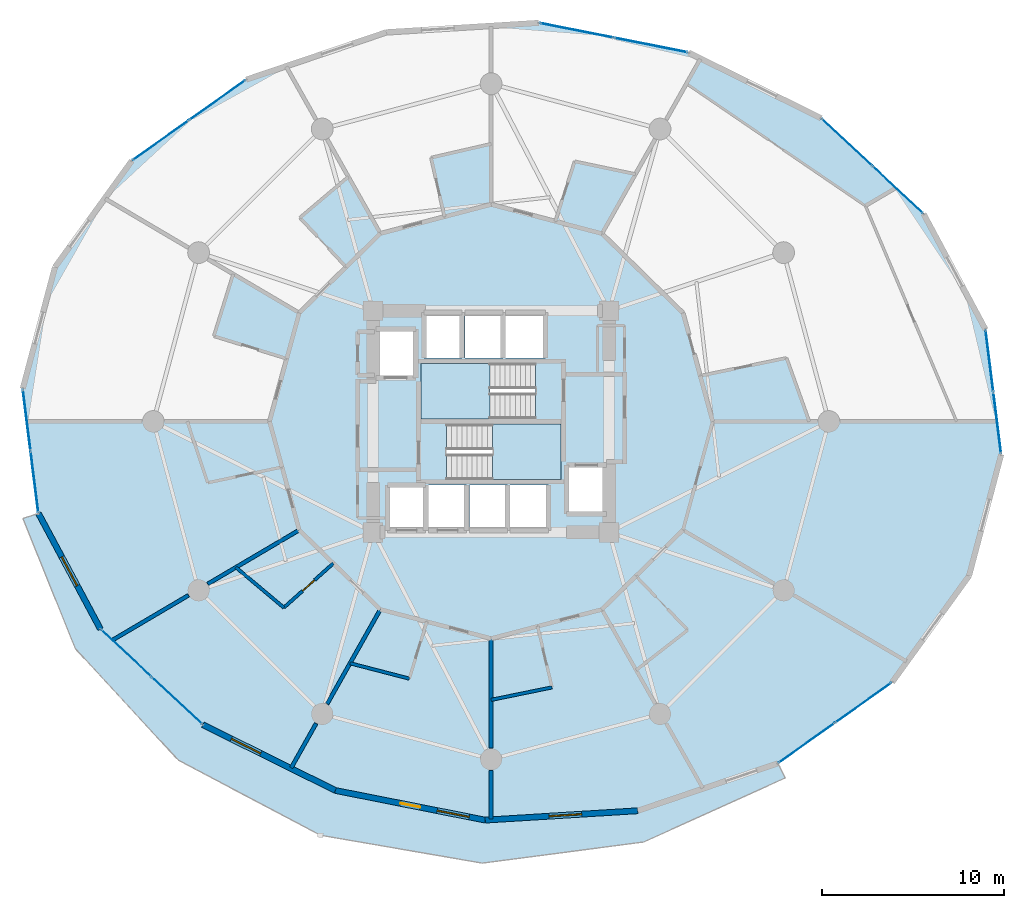
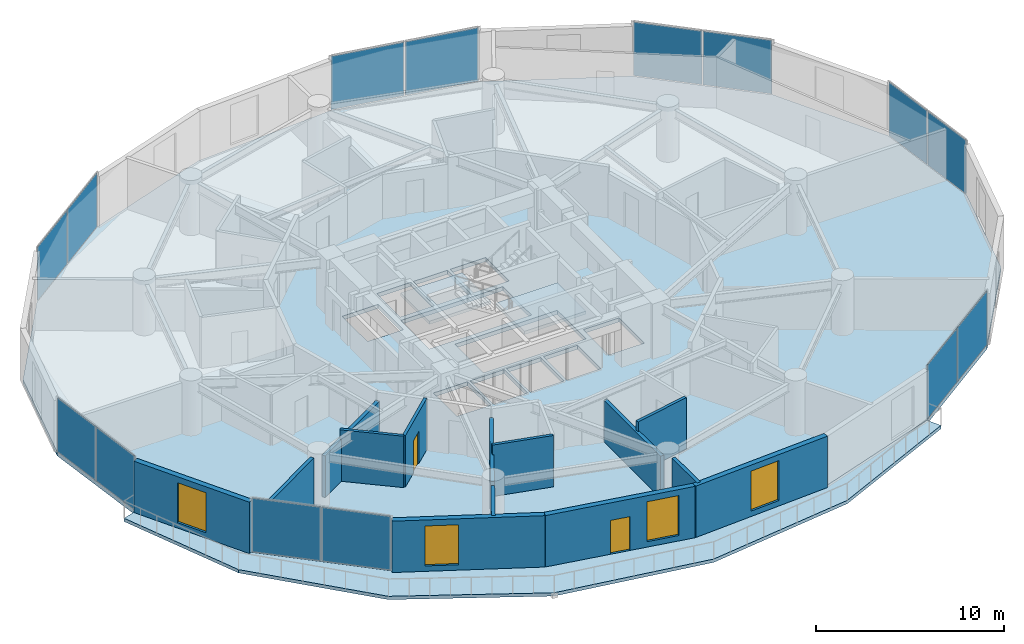
# One storey, part 19 of 26: 14 plates, 14 walls, 4 slabs, 4 windows, 2 doors, 6 openings, 9 elements without a shape of their own.
"""IFC4 building model written with IfcOpenShell, lengths in metres."""

from ifc_helpers import new_model, si_unit, direction, frame, frame_2d, origin, origin_2d, place, context, subcontext, project, spatial, polyline, rectangle, outline, extrude, source, transform, mapped, material, layer, layer_set, type_object, element, fill, aggregate, save


model = new_model("IFC4")

# Units and contexts
model_context = context("Model", 3, precision=1e-05, world=origin(), true_north=direction((0.0, 1.0)))
body_context = subcontext(model_context, "Body", "Model", "MODEL_VIEW")
ifc_project = project(units=[si_unit("LENGTHUNIT", "METRE"), si_unit("AREAUNIT", "SQUARE_METRE"), si_unit("VOLUMEUNIT", "CUBIC_METRE"), si_unit("PLANEANGLEUNIT", "RADIAN"), si_unit("MASSUNIT", "GRAM", prefix="KILO")], contexts=[model_context])

# Site, building, storey
site_placement = place(None, origin())
site = spatial("IfcSite", under=ifc_project, at=site_placement, CompositionType="ELEMENT")
building_placement = place(site_placement, origin())
building = spatial("IfcBuilding", under=site, at=building_placement, Name="Solvirekh Grand Hotel", CompositionType="ELEMENT")
storey_placement = place(building_placement, frame((0.0, 0.0, 35.60009765625)))
storey = spatial("IfcBuildingStorey", under=building, at=storey_placement, Name="L07", CompositionType="ELEMENT", Elevation=35.60009765625)

# Slab
ifc_material_1 = material(Name="Concrete C50/60", Category="concrete")
ifc_layer_1 = layer(ifc_material_1, 0.215087890625)
ifc_layer_set_1 = layer_set([ifc_layer_1], Name="Concrete C50/60")
slab_type_1 = type_object("IfcSlabType", Name="ExtCrescentBalc_215", PredefinedType="FLOOR", material=ifc_layer_set_1)
slab_1_placement = place(storey_placement, frame((0.0, 0.0, -0.215087890625)))
element("IfcSlab", 1, at=slab_1_placement, inside=storey, type_object=slab_type_1, Name="L07 sweeping crescent balcony slab", PredefinedType="FLOOR", context=body_context, shape_type="SweptSolid", body=[
    extrude(outline(polyline([(-25.782958984375, -5.340087890625), (-22.89208984375, -12.513916015625), (-17.218994140625, -18.65087890625), (-9.407958984375, -22.781005859375), (-0.48193359375, -24.318115234375), (8.406982421875, -23.153076171875), (16.197998046875, -19.625), (15.79296875, -18.821044921875), (8.072998046875, -21.43505859375), (-0.322998046875, -21.950927734375), (-8.575927734375, -20.318115234375), (-15.876953125, -16.696044921875), (-21.510009765625, -11.43896484375), (-24.926025390625, -5.06298828125), (-25.782958984375, -5.340087890625)])), origin(), (0.0, 0.0, 1.0), 0.215087890625),
])

# Stair, slab
ifc_material_2 = material(Name="Concrete C40/50", Category="concrete")
stair_type = type_object("IfcStairType", Name="Stair_Core_1450", PredefinedType="HALF_TURN_STAIR", material=ifc_material_2)
stair_1_placement = place(storey_placement, origin())
stair_1 = element("IfcStair", 2, at=stair_1_placement, inside=storey, type_object=stair_type, Name="L07 Enclosed exit stair ST-1", PredefinedType="HALF_TURN_STAIR")
ifc_layer_2 = layer(ifc_material_2, 0.199951171875)
ifc_layer_set_2 = layer_set([ifc_layer_2], Name="Concrete C40/50")
slab_type_2 = type_object("IfcSlabType", Name="Landing_Stair_200", PredefinedType="LANDING", material=ifc_layer_set_2)
slab_2_placement = place(storey_placement, frame((0.0, 0.0, 1.599853515625)))
slab_2 = element("IfcSlab", 3, at=slab_2_placement, type_object=slab_type_2, Name="ST-1 landing 1", PredefinedType="LANDING", context=body_context, shape_type="SweptSolid", body=[
    extrude(outline(polyline([(0.070068359375, -3.199951171875), (3.85009765625, -3.199951171875), (3.85009765625, -0.14990234375), (0.070068359375, -0.14990234375), (0.070068359375, -3.199951171875)])), origin(), (0.0, 0.0, 1.0), 0.199951171875),
])
aggregate(stair_1, [slab_2])

stair_2_placement = place(storey_placement, origin())
stair_2 = element("IfcStair", 4, at=stair_2_placement, inside=storey, type_object=stair_type, Name="L07 Enclosed exit stair ST-2", PredefinedType="HALF_TURN_STAIR")
slab_3_placement = place(storey_placement, frame((0.0, 0.0, 1.599853515625)))
slab_3 = element("IfcSlab", 5, at=slab_3_placement, type_object=slab_type_2, Name="ST-2 landing 1", PredefinedType="LANDING", context=body_context, shape_type="SweptSolid", body=[
    extrude(outline(polyline([(-0.070068359375, 3.199951171875), (-3.85009765625, 3.199951171875), (-3.85009765625, 0.14990234375), (-0.070068359375, 0.14990234375), (-0.070068359375, 3.199951171875)])), origin(), (0.0, 0.0, 1.0), 0.199951171875),
])
aggregate(stair_2, [slab_3])

# Slab
ifc_layer_3 = layer(ifc_material_1, 0.260009765625)
ifc_layer_set_3 = layer_set([ifc_layer_3], Name="Concrete C50/60")
slab_type_3 = type_object("IfcSlabType", Name="Slab_GuestZ1_260", PredefinedType="FLOOR", material=ifc_layer_set_3)
slab_4_placement = place(storey_placement, frame((0.0, 0.0, -0.260009765625)))
element("IfcSlab", 6, at=slab_4_placement, inside=storey, type_object=slab_type_3, Name="L07 structural floor slab", PredefinedType="FLOOR", context=body_context, shape_type="SweptSolid", body=[
    extrude(outline(polyline([(28.089111328125, -1.80810546875), (27.22607421875, 5.06298828125), (23.81005859375, 11.43896484375), (18.177001953125, 16.696044921875), (10.8759765625, 20.318115234375), (2.623046875, 21.950927734375), (-5.77294921875, 21.43505859375), (-13.492919921875, 18.821044921875), (-19.778076171875, 14.364990234375), (-24.01611328125, 8.5029296875), (-25.7890625, 1.80810546875), (-24.926025390625, -5.06298828125), (-21.510009765625, -11.43896484375), (-15.876953125, -16.696044921875), (-8.575927734375, -20.318115234375), (-0.322998046875, -21.950927734375), (8.072998046875, -21.43505859375), (15.79296875, -18.821044921875), (22.077880859375, -14.364990234375), (26.31591796875, -8.5029296875), (28.089111328125, -1.80810546875)]), holes=[polyline([(-2.444091796875, -0.14990234375), (3.85009765625, -0.14990234375), (3.85009765625, -3.199951171875), (-2.444091796875, -3.199951171875), (-2.444091796875, -0.14990234375)]), polyline([(2.444091796875, 0.14990234375), (-3.85009765625, 0.14990234375), (-3.85009765625, 3.199951171875), (2.444091796875, 3.199951171875), (2.444091796875, 0.14990234375)]), polyline([(-5.699951171875, -3.5), (-3.60009765625, -3.5), (-3.60009765625, -6.0), (-5.699951171875, -6.0), (-5.699951171875, -3.5)]), polyline([(-3.449951171875, -3.5), (-1.35009765625, -3.5), (-1.35009765625, -6.0), (-3.449951171875, -6.0), (-3.449951171875, -3.5)]), polyline([(-1.199951171875, -3.5), (0.89990234375, -3.5), (0.89990234375, -6.0), (-1.199951171875, -6.0), (-1.199951171875, -3.5)]), polyline([(1.050048828125, -3.5), (3.14990234375, -3.5), (3.14990234375, -6.0), (1.050048828125, -6.0), (1.050048828125, -3.5)]), polyline([(-3.699951171875, 6.0), (-1.60009765625, 6.0), (-1.60009765625, 3.5), (-3.699951171875, 3.5), (-3.699951171875, 6.0)]), polyline([(-1.449951171875, 6.0), (0.64990234375, 6.0), (0.64990234375, 3.5), (-1.449951171875, 3.5), (-1.449951171875, 6.0)]), polyline([(0.800048828125, 6.0), (3.0, 6.0), (3.0, 3.5), (0.800048828125, 3.5), (0.800048828125, 6.0)]), polyline([(-6.35009765625, 5.10009765625), (-4.14990234375, 5.10009765625), (-4.14990234375, 2.39990234375), (-6.35009765625, 2.39990234375), (-6.35009765625, 5.10009765625)]), polyline([(4.14990234375, -2.39990234375), (6.35009765625, -2.39990234375), (6.35009765625, -5.10009765625), (4.14990234375, -5.10009765625), (4.14990234375, -2.39990234375)])]), origin(), (0.0, 0.0, 1.0), 0.260009765625),
])

# Curtain wall, plates
ifc_material_3 = material(Name="Anodized Bronze Aluminium 6063-T6", Category="aluminium")
ifc_layer_4 = layer(ifc_material_3, 0.18994140625)
ifc_layer_set_4 = layer_set([ifc_layer_4], Name="Anodized Bronze Aluminium 6063-T6")
curtain_wall_type = type_object("IfcCurtainWallType", Name="CW_Sys2_LowZoneFlushBronzeCW", PredefinedType="NOTDEFINED", material=ifc_layer_set_4)
curtain_wall_1_placement = place(storey_placement, origin())
curtain_wall_1 = element("IfcCurtainWall", 7, at=curtain_wall_1_placement, inside=storey, type_object=curtain_wall_type, Name="L07 unitised bronze-glass curtain wall CW-L07-C01", PredefinedType="NOTDEFINED")
ifc_material_4 = material(Name="Low-E Tinted Bronze Laminated Glass", Category="aluminium")
ifc_layer_5 = layer(ifc_material_4, 0.0380859375)
ifc_layer_set_5 = layer_set([ifc_layer_5], Name="Low-E Tinted Bronze Laminated Glass")
plate_type = type_object("IfcPlateType", Name="CWPanel_Low_38", PredefinedType="CURTAIN_PANEL", material=ifc_layer_set_5)
shared_shape_1 = source(origin(), body_context, "Body", "SweptSolid", [
    extrude(rectangle(XDim=3.357421875, YDim=0.0380859375, at=origin_2d()), origin(), (0.0, 0.0, 1.0), 3.47998046875),
])
plate_1_placement = place(storey_placement, frame((27.87109375, -0.072998046875, 0.059814453125), z_axis=(0.0, 0.0, 1.0), x_axis=(-0.124621217979, 0.992204390249, 0.0)))
plate_1 = element("IfcPlate", 8, at=plate_1_placement, type_object=plate_type, Name="U02 panel 1.1", PredefinedType="CURTAIN_PANEL", context=body_context, shape_type="MappedRepresentation", body=[
    mapped(shared_shape_1, transform((0.0, 0.0, 0.0), x_axis=(1.0, 0.0, 0.0), y_axis=(0.0, 1.0, 0.0), z_axis=(0.0, 0.0, 1.0), scale=1.0)),
])
plate_2_placement = place(storey_placement, frame((27.44384765625, 3.327880859375, 0.059814453125), z_axis=(0.0, 0.0, 1.0), x_axis=(-0.124621217979, 0.992204390249, 0.0)))
plate_2 = element("IfcPlate", 9, at=plate_2_placement, type_object=plate_type, Name="U02 panel 2.1", PredefinedType="CURTAIN_PANEL", context=body_context, shape_type="MappedRepresentation", body=[
    mapped(shared_shape_1, transform((0.0, 0.0, 0.0), x_axis=(1.0, 0.0, 0.0), y_axis=(0.0, 1.0, 0.0), z_axis=(0.0, 0.0, 1.0), scale=1.0)),
])
aggregate(curtain_wall_1, [plate_1, plate_2])

curtain_wall_2_placement = place(storey_placement, origin())
curtain_wall_2 = element("IfcCurtainWall", 10, at=curtain_wall_2_placement, inside=storey, type_object=curtain_wall_type, Name="L07 unitised bronze-glass curtain wall CW-L07-C11", PredefinedType="NOTDEFINED")
plate_3_placement = place(storey_placement, frame((-25.571044921875, 0.072998046875, 0.059814453125), z_axis=(0.0, 0.0, 1.0), x_axis=(0.124621217979, -0.992204390249, 0.0)))
plate_3 = element("IfcPlate", 11, at=plate_3_placement, type_object=plate_type, Name="U02 panel 1.1", PredefinedType="CURTAIN_PANEL", context=body_context, shape_type="MappedRepresentation", body=[
    mapped(shared_shape_1, transform((0.0, 0.0, 0.0), x_axis=(1.0, 0.0, 0.0), y_axis=(0.0, 1.0, 0.0), z_axis=(0.0, 0.0, 1.0), scale=1.0)),
])
plate_4_placement = place(storey_placement, frame((-25.14404296875, -3.327880859375, 0.059814453125), z_axis=(0.0, 0.0, 1.0), x_axis=(0.124621217979, -0.992204390249, 0.0)))
plate_4 = element("IfcPlate", 12, at=plate_4_placement, type_object=plate_type, Name="U02 panel 2.1", PredefinedType="CURTAIN_PANEL", context=body_context, shape_type="MappedRepresentation", body=[
    mapped(shared_shape_1, transform((0.0, 0.0, 0.0), x_axis=(1.0, 0.0, 0.0), y_axis=(0.0, 1.0, 0.0), z_axis=(0.0, 0.0, 1.0), scale=1.0)),
])
aggregate(curtain_wall_2, [plate_3, plate_4])

curtain_wall_3_placement = place(storey_placement, origin())
curtain_wall_3 = element("IfcCurtainWall", 13, at=curtain_wall_3_placement, inside=storey, type_object=curtain_wall_type, Name="L07 unitised bronze-glass curtain wall CW-L07-C05", PredefinedType="NOTDEFINED")
shared_shape_2 = source(origin(), body_context, "Body", "SweptSolid", [
    extrude(rectangle(XDim=4.1015625, YDim=0.0380859375, at=origin_2d()), origin(), (0.0, 0.0, 1.0), 3.47998046875),
])
plate_5_placement = place(storey_placement, frame((8.795654296875, 20.729736328125, 0.059814453125), z_axis=(0.0, 0.0, 1.0), x_axis=(-0.9809809199, 0.194104185406, 0.0)))
plate_5 = element("IfcPlate", 14, at=plate_5_placement, type_object=plate_type, Name="U02 panel 1.1", PredefinedType="CURTAIN_PANEL", context=body_context, shape_type="MappedRepresentation", body=[
    mapped(shared_shape_2, transform((0.0, 0.0, 0.0), x_axis=(1.0, 0.0, 0.0), y_axis=(0.0, 1.0, 0.0), z_axis=(0.0, 0.0, 1.0), scale=1.0)),
])
plate_6_placement = place(storey_placement, frame((4.703369140625, 21.539306640625, 0.059814453125), z_axis=(0.0, 0.0, 1.0), x_axis=(-0.9809809199, 0.194104185406, 0.0)))
plate_6 = element("IfcPlate", 15, at=plate_6_placement, type_object=plate_type, Name="U02 panel 2.1", PredefinedType="CURTAIN_PANEL", context=body_context, shape_type="MappedRepresentation", body=[
    mapped(shared_shape_2, transform((0.0, 0.0, 0.0), x_axis=(1.0, 0.0, 0.0), y_axis=(0.0, 1.0, 0.0), z_axis=(0.0, 0.0, 1.0), scale=1.0)),
])
aggregate(curtain_wall_3, [plate_5, plate_6])

curtain_wall_4_placement = place(storey_placement, origin())
curtain_wall_4 = element("IfcCurtainWall", 16, at=curtain_wall_4_placement, inside=storey, type_object=curtain_wall_type, Name="L07 unitised bronze-glass curtain wall CW-L07-C08", PredefinedType="NOTDEFINED")
shared_shape_3 = source(origin(), body_context, "Body", "SweptSolid", [
    extrude(rectangle(XDim=3.7470703125, YDim=0.0380859375, at=origin_2d()), origin(), (0.0, 0.0, 1.0), 3.47998046875),
])
plate_7_placement = place(storey_placement, frame((-15.07861328125, 17.69677734375, 0.059814453125), z_axis=(0.0, 0.0, 1.0), x_axis=(-0.815771862482, -0.578373813708, 0.0)))
plate_7 = element("IfcPlate", 17, at=plate_7_placement, type_object=plate_type, Name="U02 panel 1.1", PredefinedType="CURTAIN_PANEL", context=body_context, shape_type="MappedRepresentation", body=[
    mapped(shared_shape_3, transform((0.0, 0.0, 0.0), x_axis=(1.0, 0.0, 0.0), y_axis=(0.0, 1.0, 0.0), z_axis=(0.0, 0.0, 1.0), scale=1.0)),
])
plate_8_placement = place(storey_placement, frame((-18.1923828125, 15.489013671875, 0.059814453125), z_axis=(0.0, 0.0, 1.0), x_axis=(-0.815771862482, -0.578373813708, 0.0)))
plate_8 = element("IfcPlate", 18, at=plate_8_placement, type_object=plate_type, Name="U02 panel 2.1", PredefinedType="CURTAIN_PANEL", context=body_context, shape_type="MappedRepresentation", body=[
    mapped(shared_shape_3, transform((0.0, 0.0, 0.0), x_axis=(1.0, 0.0, 0.0), y_axis=(0.0, 1.0, 0.0), z_axis=(0.0, 0.0, 1.0), scale=1.0)),
])
aggregate(curtain_wall_4, [plate_7, plate_8])

curtain_wall_5_placement = place(storey_placement, origin())
curtain_wall_5 = element("IfcCurtainWall", 19, at=curtain_wall_5_placement, inside=storey, type_object=curtain_wall_type, Name="L07 unitised bronze-glass curtain wall CW-L07-C18", PredefinedType="NOTDEFINED")
plate_9_placement = place(storey_placement, frame((17.37841796875, -17.69677734375, 0.059814453125), z_axis=(0.0, 0.0, 1.0), x_axis=(0.815771862482, 0.578373813708, 0.0)))
plate_9 = element("IfcPlate", 20, at=plate_9_placement, type_object=plate_type, Name="U02 panel 1.1", PredefinedType="CURTAIN_PANEL", context=body_context, shape_type="MappedRepresentation", body=[
    mapped(shared_shape_3, transform((0.0, 0.0, 0.0), x_axis=(1.0, 0.0, 0.0), y_axis=(0.0, 1.0, 0.0), z_axis=(0.0, 0.0, 1.0), scale=1.0)),
])
plate_10_placement = place(storey_placement, frame((20.492431640625, -15.489013671875, 0.059814453125), z_axis=(0.0, 0.0, 1.0), x_axis=(0.815771862482, 0.578373813708, 0.0)))
plate_10 = element("IfcPlate", 21, at=plate_10_placement, type_object=plate_type, Name="U02 panel 2.1", PredefinedType="CURTAIN_PANEL", context=body_context, shape_type="MappedRepresentation", body=[
    mapped(shared_shape_3, transform((0.0, 0.0, 0.0), x_axis=(1.0, 0.0, 0.0), y_axis=(0.0, 1.0, 0.0), z_axis=(0.0, 0.0, 1.0), scale=1.0)),
])
aggregate(curtain_wall_5, [plate_9, plate_10])

curtain_wall_6_placement = place(storey_placement, origin())
curtain_wall_6 = element("IfcCurtainWall", 22, at=curtain_wall_6_placement, inside=storey, type_object=curtain_wall_type, Name="L07 unitised bronze-glass curtain wall CW-L07-C03", PredefinedType="NOTDEFINED")
shared_shape_4 = source(origin(), body_context, "Body", "SweptSolid", [
    extrude(rectangle(XDim=3.74755859375, YDim=0.0380859375, at=origin_2d()), origin(), (0.0, 0.0, 1.0), 3.47998046875),
])
plate_11_placement = place(storey_placement, frame((22.388916015625, 12.76513671875, 0.059814453125), z_axis=(0.0, 0.0, 1.0), x_axis=(-0.73108547903, 0.682285880223, 0.0)))
plate_11 = element("IfcPlate", 23, at=plate_11_placement, type_object=plate_type, Name="U02 panel 1.1", PredefinedType="CURTAIN_PANEL", context=body_context, shape_type="MappedRepresentation", body=[
    mapped(shared_shape_4, transform((0.0, 0.0, 0.0), x_axis=(1.0, 0.0, 0.0), y_axis=(0.0, 1.0, 0.0), z_axis=(0.0, 0.0, 1.0), scale=1.0)),
])
plate_12_placement = place(storey_placement, frame((19.59814453125, 15.369873046875, 0.059814453125), z_axis=(0.0, 0.0, 1.0), x_axis=(-0.73108547903, 0.682285880223, 0.0)))
plate_12 = element("IfcPlate", 24, at=plate_12_placement, type_object=plate_type, Name="U02 panel 2.1", PredefinedType="CURTAIN_PANEL", context=body_context, shape_type="MappedRepresentation", body=[
    mapped(shared_shape_4, transform((0.0, 0.0, 0.0), x_axis=(1.0, 0.0, 0.0), y_axis=(0.0, 1.0, 0.0), z_axis=(0.0, 0.0, 1.0), scale=1.0)),
])
aggregate(curtain_wall_6, [plate_11, plate_12])

curtain_wall_7_placement = place(storey_placement, origin())
curtain_wall_7 = element("IfcCurtainWall", 25, at=curtain_wall_7_placement, inside=storey, type_object=curtain_wall_type, Name="L07 unitised bronze-glass curtain wall CW-L07-C13", PredefinedType="NOTDEFINED")
plate_13_placement = place(storey_placement, frame((-20.0888671875, -12.76513671875, 0.059814453125), z_axis=(0.0, 0.0, 1.0), x_axis=(0.73108547903, -0.682285880223, 0.0)))
plate_13 = element("IfcPlate", 26, at=plate_13_placement, type_object=plate_type, Name="U02 panel 1.1", PredefinedType="CURTAIN_PANEL", context=body_context, shape_type="MappedRepresentation", body=[
    mapped(shared_shape_4, transform((0.0, 0.0, 0.0), x_axis=(1.0, 0.0, 0.0), y_axis=(0.0, 1.0, 0.0), z_axis=(0.0, 0.0, 1.0), scale=1.0)),
])
plate_14_placement = place(storey_placement, frame((-17.298095703125, -15.369873046875, 0.059814453125), z_axis=(0.0, 0.0, 1.0), x_axis=(0.73108547903, -0.682285880223, 0.0)))
plate_14 = element("IfcPlate", 27, at=plate_14_placement, type_object=plate_type, Name="U02 panel 2.1", PredefinedType="CURTAIN_PANEL", context=body_context, shape_type="MappedRepresentation", body=[
    mapped(shared_shape_4, transform((0.0, 0.0, 0.0), x_axis=(1.0, 0.0, 0.0), y_axis=(0.0, 1.0, 0.0), z_axis=(0.0, 0.0, 1.0), scale=1.0)),
])
aggregate(curtain_wall_7, [plate_13, plate_14])

# Wall, opening, window
ifc_material_5 = material(Name="Precast concrete C45/55", Category="concrete")
ifc_layer_6 = layer(ifc_material_5, 0.320068359375)
ifc_layer_set_6 = layer_set([ifc_layer_6], Name="Precast concrete C45/55")
wall_type_1 = type_object("IfcWallType", Name="ExtLobbyWall_RC320", PredefinedType="SOLIDWALL", material=ifc_layer_set_6)
wall_1_placement = place(storey_placement, frame((-21.510009765625, -11.43896484375, 0.0), z_axis=(0.0, 0.0, 1.0), x_axis=(-0.472255130515, 0.881461905985, 0.0)))
wall_1 = element("IfcWall", 28, at=wall_1_placement, inside=storey, type_object=wall_type_1, Name="L07 exterior structural wall chord 12", PredefinedType="SOLIDWALL", context=body_context, shape_type="SweptSolid", body=[
    extrude(rectangle(XDim=7.2333984375, YDim=0.320068359375, at=frame_2d((3.61669921875, 0.0))), origin(), (0.0, 0.0, 1.0), 3.33984375),
])
opening_1_placement = place(wall_1_placement, frame((2.717041015625, 0.0, 0.35009765625)))
opening_1 = element("IfcOpeningElement", 29, at=opening_1_placement, cuts=wall_1, Name="Opening W02", PredefinedType="OPENING", context=body_context, shape_type="SweptSolid", body=[
    extrude(rectangle(XDim=1.800048828125, YDim=2.60009765625, at=frame_2d((0.89990234375, 1.300048828125))), frame((0.0, 0.169921875, 0.0), z_axis=(0.0, -1.0, 0.0), x_axis=(1.0, 0.0, 0.0)), (0.0, 0.0, 1.0), 0.340087890625),
])
window_type = type_object("IfcWindowType", Name="Win_LobbyExt_1800X2600", PartitioningType="SINGLE_PANEL", PredefinedType="WINDOW", material=ifc_material_4)
window_1_placement = place(opening_1_placement, origin())
window_1 = element("IfcWindow", 30, at=window_1_placement, inside=storey, type_object=window_type, Name="L07 panoramic bronze-framed window 12", OverallHeight=2.60009765625, OverallWidth=1.800048828125, PartitioningType="SINGLE_PANEL", PredefinedType="WINDOW", context=body_context, shape_type="SweptSolid", body=[
    extrude(rectangle(XDim=1.800048828125, YDim=2.60009765625, at=frame_2d((0.89990234375, 1.300048828125))), frame((0.0, 0.030029296875, 0.0), z_axis=(0.0, -1.0, 0.0), x_axis=(1.0, 0.0, 0.0)), (0.0, 0.0, 1.0), 0.06005859375),
])
fill(opening_1, window_1)

wall_2_placement = place(storey_placement, frame((-8.575927734375, -20.318115234375, 0.0), z_axis=(0.0, 0.0, 1.0), x_axis=(-0.895818759339, 0.444419565743, 0.0)))
wall_2 = element("IfcWall", 31, at=wall_2_placement, inside=storey, type_object=wall_type_1, Name="L07 exterior structural wall chord 14", PredefinedType="SOLIDWALL", context=body_context, shape_type="SweptSolid", body=[
    extrude(rectangle(XDim=8.150146484375, YDim=0.320068359375, at=frame_2d((4.0751953125, 0.0))), origin(), (0.0, 0.0, 1.0), 3.33984375),
])
opening_2_placement = place(wall_2_placement, frame((4.592041015625, 0.0, 0.35009765625)))
opening_2 = element("IfcOpeningElement", 32, at=opening_2_placement, cuts=wall_2, Name="Opening W02", PredefinedType="OPENING", context=body_context, shape_type="SweptSolid", body=[
    extrude(rectangle(XDim=1.800048828125, YDim=2.60009765625, at=frame_2d((0.89990234375, 1.300048828125))), frame((0.0, 0.169921875, 0.0), z_axis=(0.0, -1.0, 0.0), x_axis=(1.0, 0.0, 0.0)), (0.0, 0.0, 1.0), 0.340087890625),
])
window_2_placement = place(opening_2_placement, origin())
window_2 = element("IfcWindow", 33, at=window_2_placement, inside=storey, type_object=window_type, Name="L07 panoramic bronze-framed window 14", OverallHeight=2.60009765625, OverallWidth=1.800048828125, PartitioningType="SINGLE_PANEL", PredefinedType="WINDOW", context=body_context, shape_type="SweptSolid", body=[
    extrude(rectangle(XDim=1.800048828125, YDim=2.60009765625, at=frame_2d((0.89990234375, 1.300048828125))), frame((0.0, 0.030029296875, 0.0), z_axis=(0.0, -1.0, 0.0), x_axis=(1.0, 0.0, 0.0)), (0.0, 0.0, 1.0), 0.06005859375),
])
fill(opening_2, window_2)

# Wall, openings, door, window
wall_3_placement = place(storey_placement, frame((-0.322998046875, -21.950927734375, 0.0), z_axis=(0.0, 0.0, 1.0), x_axis=(-0.980984848571, 0.194084329288, 0.0)))
wall_3 = element("IfcWall", 34, at=wall_3_placement, inside=storey, type_object=wall_type_1, Name="L07 exterior structural wall chord 15", PredefinedType="SOLIDWALL", context=body_context, shape_type="SweptSolid", body=[
    extrude(rectangle(XDim=8.412841796875, YDim=0.320068359375, at=frame_2d((4.20654296875, 0.0))), origin(), (0.0, 0.0, 1.0), 3.33984375),
])
opening_3_placement = place(wall_3_placement, frame((0.903076171875, 0.0, 0.35009765625)))
opening_3 = element("IfcOpeningElement", 35, at=opening_3_placement, cuts=wall_3, Name="Opening W02", PredefinedType="OPENING", context=body_context, shape_type="SweptSolid", body=[
    extrude(rectangle(XDim=1.800048828125, YDim=2.60009765625, at=frame_2d((0.89990234375, 1.300048828125))), frame((0.0, 0.169921875, 0.0), z_axis=(0.0, -1.0, 0.0), x_axis=(1.0, 0.0, 0.0)), (0.0, 0.0, 1.0), 0.340087890625),
])
opening_4_placement = place(wall_3_placement, frame((3.656982421875, 0.0, 0.0)))
opening_4 = element("IfcOpeningElement", 36, at=opening_4_placement, cuts=wall_3, Name="Opening D03", PredefinedType="OPENING", context=body_context, shape_type="SweptSolid", body=[
    extrude(rectangle(XDim=1.10009765625, YDim=2.199951171875, at=frame_2d((0.550048828125, 1.10009765625))), frame((0.0, 0.169921875, 0.0), z_axis=(0.0, -1.0, 0.0), x_axis=(1.0, 0.0, 0.0)), (0.0, 0.0, 1.0), 0.340087890625),
])
door_type_1 = type_object("IfcDoorType", Name="Door_ExtBalcony_1100X2200", OperationType="NOTDEFINED", PredefinedType="DOOR", material=ifc_material_3)
door_1_placement = place(opening_4_placement, origin())
door_1 = element("IfcDoor", 37, at=door_1_placement, inside=storey, type_object=door_type_1, Name="L07 Crescent balcony glazed door (15)", OperationType="SINGLE_SWING_LEFT", OverallHeight=2.199951171875, OverallWidth=1.10009765625, PredefinedType="DOOR", context=body_context, shape_type="SweptSolid", body=[
    extrude(rectangle(XDim=1.10009765625, YDim=2.199951171875, at=frame_2d((0.550048828125, 1.10009765625))), frame((0.0, 0.02490234375, 0.0), z_axis=(0.0, -1.0, 0.0), x_axis=(1.0, 0.0, 0.0)), (0.0, 0.0, 1.0), 0.050048828125),
])
fill(opening_4, door_1)
window_3_placement = place(opening_3_placement, origin())
window_3 = element("IfcWindow", 38, at=window_3_placement, inside=storey, type_object=window_type, Name="L07 exterior side window 15", OverallHeight=2.60009765625, OverallWidth=1.800048828125, PartitioningType="SINGLE_PANEL", PredefinedType="WINDOW", context=body_context, shape_type="SweptSolid", body=[
    extrude(rectangle(XDim=1.800048828125, YDim=2.60009765625, at=frame_2d((0.89990234375, 1.300048828125))), frame((0.0, 0.030029296875, 0.0), z_axis=(0.0, -1.0, 0.0), x_axis=(1.0, 0.0, 0.0)), (0.0, 0.0, 1.0), 0.06005859375),
])
fill(opening_3, window_3)

# Wall, opening, window
wall_4_placement = place(storey_placement, frame((8.072998046875, -21.43505859375, 0.0), z_axis=(0.0, 0.0, 1.0), x_axis=(-0.998117750792, -0.06132663005, 0.0)))
wall_4 = element("IfcWall", 39, at=wall_4_placement, inside=storey, type_object=wall_type_1, Name="L07 exterior structural wall chord 16", PredefinedType="SOLIDWALL", context=body_context, shape_type="SweptSolid", body=[
    extrude(rectangle(XDim=8.411865234375, YDim=0.320068359375, at=frame_2d((4.2060546875, 0.0))), origin(), (0.0, 0.0, 1.0), 3.33984375),
])
opening_5_placement = place(wall_4_placement, frame((3.093017578125, 0.0, 0.35009765625)))
opening_5 = element("IfcOpeningElement", 40, at=opening_5_placement, cuts=wall_4, Name="Opening W02", PredefinedType="OPENING", context=body_context, shape_type="SweptSolid", body=[
    extrude(rectangle(XDim=1.800048828125, YDim=2.60009765625, at=frame_2d((0.89990234375, 1.300048828125))), frame((0.0, 0.169921875, 0.0), z_axis=(0.0, -1.0, 0.0), x_axis=(1.0, 0.0, 0.0)), (0.0, 0.0, 1.0), 0.340087890625),
])
window_4_placement = place(opening_5_placement, origin())
window_4 = element("IfcWindow", 41, at=window_4_placement, inside=storey, type_object=window_type, Name="L07 panoramic bronze-framed window 16", OverallHeight=2.60009765625, OverallWidth=1.800048828125, PartitioningType="SINGLE_PANEL", PredefinedType="WINDOW", context=body_context, shape_type="SweptSolid", body=[
    extrude(rectangle(XDim=1.800048828125, YDim=2.60009765625, at=frame_2d((0.89990234375, 1.300048828125))), frame((0.0, 0.030029296875, 0.0), z_axis=(0.0, -1.0, 0.0), x_axis=(1.0, 0.0, 0.0)), (0.0, 0.0, 1.0), 0.06005859375),
])
fill(opening_5, window_4)

# Walls
ifc_material_6 = material(Name="Acoustic Gypsum Partition Assembly")
ifc_layer_7 = layer(ifc_material_6, 0.2099609375)
ifc_layer_set_7 = layer_set([ifc_layer_7], Name="Acoustic Gypsum Partition Assembly")
wall_type_2 = type_object("IfcWallType", Name="Part_SuiteDemise_210", PredefinedType="PARTITIONING", material=ifc_layer_set_7)
wall_5_placement = place(storey_placement, frame((-10.56591796875, -5.97509765625, 0.0), z_axis=(0.0, 0.0, 1.0), x_axis=(-0.861473203585, -0.507803032194, 0.0)))
element("IfcWall", 42, at=wall_5_placement, inside=storey, type_object=wall_type_2, Name="L07 suite radial wall 8 (A)", PredefinedType="PARTITIONING", context=body_context, shape_type="SweptSolid", body=[
    extrude(rectangle(XDim=5.8447265625, YDim=0.2099609375, at=frame_2d((2.92236328125, 0.0))), origin(), (0.0, 0.0, 1.0), 2.706787109375),
])
wall_6_placement = place(storey_placement, frame((-16.666015625, -9.571044921875, 0.0), z_axis=(0.0, 0.0, 1.0), x_axis=(-0.861454358035, -0.50783500177, 0.0)))
element("IfcWall", 43, at=wall_6_placement, inside=storey, type_object=wall_type_2, Name="L07 suite radial wall 8 (B)", PredefinedType="PARTITIONING", context=body_context, shape_type="SweptSolid", body=[
    extrude(rectangle(XDim=4.830078125, YDim=0.2099609375, at=frame_2d((2.4150390625, 0.0))), origin(), (0.0, 0.0, 1.0), 3.33984375),
])
wall_7_placement = place(storey_placement, frame((-6.10009765625, -10.34912109375, 0.0), z_axis=(0.0, 0.0, 1.0), x_axis=(-0.490503945764, -0.871438970433, 0.0)))
element("IfcWall", 44, at=wall_7_placement, inside=storey, type_object=wall_type_2, Name="L07 suite radial wall 9 (A)", PredefinedType="PARTITIONING", context=body_context, shape_type="SweptSolid", body=[
    extrude(rectangle(XDim=5.96923828125, YDim=0.2099609375, at=frame_2d((2.984619140625, 0.0))), origin(), (0.0, 0.0, 1.0), 2.706787109375),
])
wall_8_placement = place(storey_placement, frame((-9.635986328125, -16.62890625, 0.0), z_axis=(0.0, 0.0, 1.0), x_axis=(-0.490451821351, -0.871468307475, 0.0)))
element("IfcWall", 45, at=wall_8_placement, inside=storey, type_object=wall_type_2, Name="L07 suite radial wall 9 (B)", PredefinedType="PARTITIONING", context=body_context, shape_type="SweptSolid", body=[
    extrude(rectangle(XDim=2.797607421875, YDim=0.2099609375, at=frame_2d((1.39892578125, 0.0))), origin(), (0.0, 0.0, 1.0), 3.33984375),
])
wall_9_placement = place(storey_placement, frame((0.0, -11.949951171875, 0.0), z_axis=(0.0, 0.0, 1.0), x_axis=(0.0, -1.0, 0.0)))
element("IfcWall", 46, at=wall_9_placement, inside=storey, type_object=wall_type_2, Name="L07 suite radial wall 10 (A)", PredefinedType="PARTITIONING", context=body_context, shape_type="SweptSolid", body=[
    extrude(rectangle(XDim=6.030029296875, YDim=0.2099609375, at=frame_2d((3.01513671875, 0.0))), origin(), (0.0, 0.0, 1.0), 2.706787109375),
])
wall_10_placement = place(storey_placement, frame((0.0, -19.219970703125, 0.0), z_axis=(0.0, 0.0, 1.0), x_axis=(0.0, -1.0, 0.0)))
element("IfcWall", 47, at=wall_10_placement, inside=storey, type_object=wall_type_2, Name="L07 suite radial wall 10 (B)", PredefinedType="PARTITIONING", context=body_context, shape_type="SweptSolid", body=[
    extrude(rectangle(XDim=2.671142578125, YDim=0.2099609375, at=frame_2d((1.33544921875, 0.0))), origin(), (0.0, 0.0, 1.0), 3.33984375),
])
ifc_layer_8 = layer(ifc_material_6, 0.175048828125)
ifc_layer_set_8 = layer_set([ifc_layer_8], Name="Acoustic Gypsum Partition Assembly")
wall_type_3 = type_object("IfcWallType", Name="Plumb_Ensuite_175", PredefinedType="PLUMBINGWALL", material=ifc_layer_set_8)
wall_11_placement = place(storey_placement, frame((-14.054931640625, -8.031982421875, 0.0), z_axis=(0.0, 0.0, 1.0), x_axis=(0.765749489357, -0.643138958196, 0.0)))
element("IfcWall", 48, at=wall_11_placement, inside=storey, type_object=wall_type_3, Name="L07 En-suite Bathroom 0907 outer plumbing wall", PredefinedType="PLUMBINGWALL", context=body_context, shape_type="SweptSolid", body=[
    extrude(rectangle(XDim=3.44873046875, YDim=0.175048828125, at=frame_2d((1.724365234375, 0.0))), origin(), (0.0, 0.0, 1.0), 3.33984375),
])

# Wall, opening, door
wall_12_placement = place(storey_placement, frame((-8.68994140625, -7.81201171875, 0.0), z_axis=(0.0, 0.0, 1.0), x_axis=(-0.745157470099, -0.666888554975, 0.0)))
wall_12 = element("IfcWall", 49, at=wall_12_placement, inside=storey, type_object=wall_type_3, Name="L07 En-suite Bathroom 0907 entry plumbing wall", PredefinedType="PLUMBINGWALL", context=body_context, shape_type="SweptSolid", body=[
    extrude(rectangle(XDim=3.65576171875, YDim=0.175048828125, at=frame_2d((1.827880859375, 0.0))), origin(), (0.0, 0.0, 1.0), 3.33984375),
])
opening_6_placement = place(wall_12_placement, frame((1.3779296875, 0.0, 0.0)))
opening_6 = element("IfcOpeningElement", 50, at=opening_6_placement, cuts=wall_12, Name="Opening D09", PredefinedType="OPENING", context=body_context, shape_type="SweptSolid", body=[
    extrude(rectangle(XDim=0.89990234375, YDim=2.10009765625, at=frame_2d((0.449951171875, 1.050048828125))), frame((0.0, 0.09765625, 0.0), z_axis=(0.0, -1.0, 0.0), x_axis=(1.0, 0.0, 0.0)), (0.0, 0.0, 1.0), 0.195068359375),
])
door_type_2 = type_object("IfcDoorType", Name="Door_Ensuite_900X2100", OperationType="NOTDEFINED", PredefinedType="DOOR", material=ifc_material_3)
door_2_placement = place(opening_6_placement, origin())
door_2 = element("IfcDoor", 51, at=door_2_placement, inside=storey, type_object=door_type_2, Name="L07 En-suite Bathroom 0907 door", OperationType="SINGLE_SWING_LEFT", OverallHeight=2.10009765625, OverallWidth=0.89990234375, PredefinedType="DOOR", context=body_context, shape_type="SweptSolid", body=[
    extrude(rectangle(XDim=0.89990234375, YDim=2.10009765625, at=frame_2d((0.449951171875, 1.050048828125))), frame((0.0, 0.02490234375, 0.0), z_axis=(0.0, -1.0, 0.0), x_axis=(1.0, 0.0, 0.0)), (0.0, 0.0, 1.0), 0.050048828125),
])
fill(opening_6, door_2)

# Walls
wall_13_placement = place(storey_placement, frame((-7.76904296875, -13.31298828125, 0.0), z_axis=(0.0, 0.0, 1.0), x_axis=(0.96792648556, -0.251233593596, 0.0)))
element("IfcWall", 52, at=wall_13_placement, inside=storey, type_object=wall_type_3, Name="L07 En-suite Bathroom 0908 outer plumbing wall", PredefinedType="PLUMBINGWALL", context=body_context, shape_type="SweptSolid", body=[
    extrude(rectangle(XDim=3.37109375, YDim=0.175048828125, at=frame_2d((1.685546875, 0.0))), origin(), (0.0, 0.0, 1.0), 3.33984375),
])
wall_14_placement = place(storey_placement, frame((0.0, -15.330078125, 0.0), z_axis=(0.0, 0.0, 1.0), x_axis=(0.979614932167, 0.20088450581, 0.0)))
element("IfcWall", 53, at=wall_14_placement, inside=storey, type_object=wall_type_3, Name="L07 En-suite Bathroom 0909 outer plumbing wall", PredefinedType="PLUMBINGWALL", context=body_context, shape_type="SweptSolid", body=[
    extrude(rectangle(XDim=3.4248046875, YDim=0.175048828125, at=frame_2d((1.71240234375, 0.0))), origin(), (0.0, 0.0, 1.0), 3.33984375),
])

save(model, "model.ifc")
